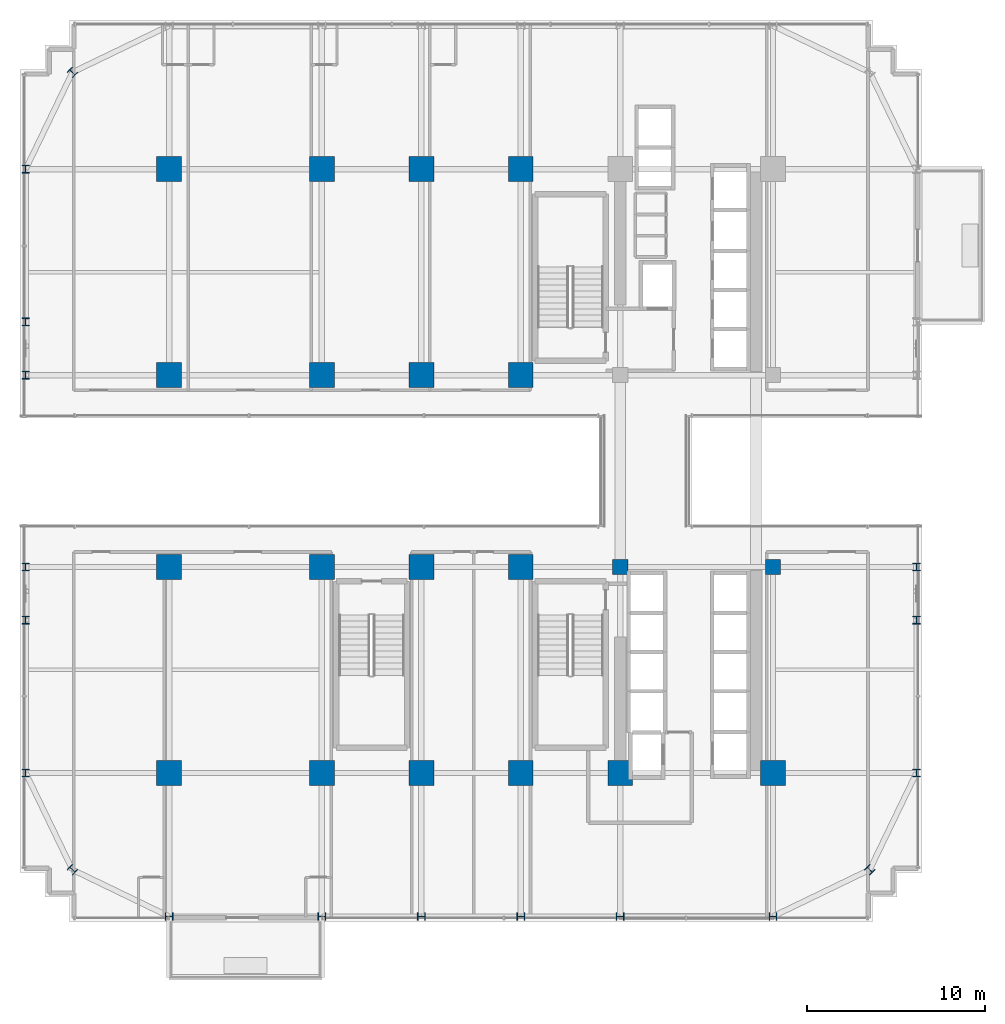
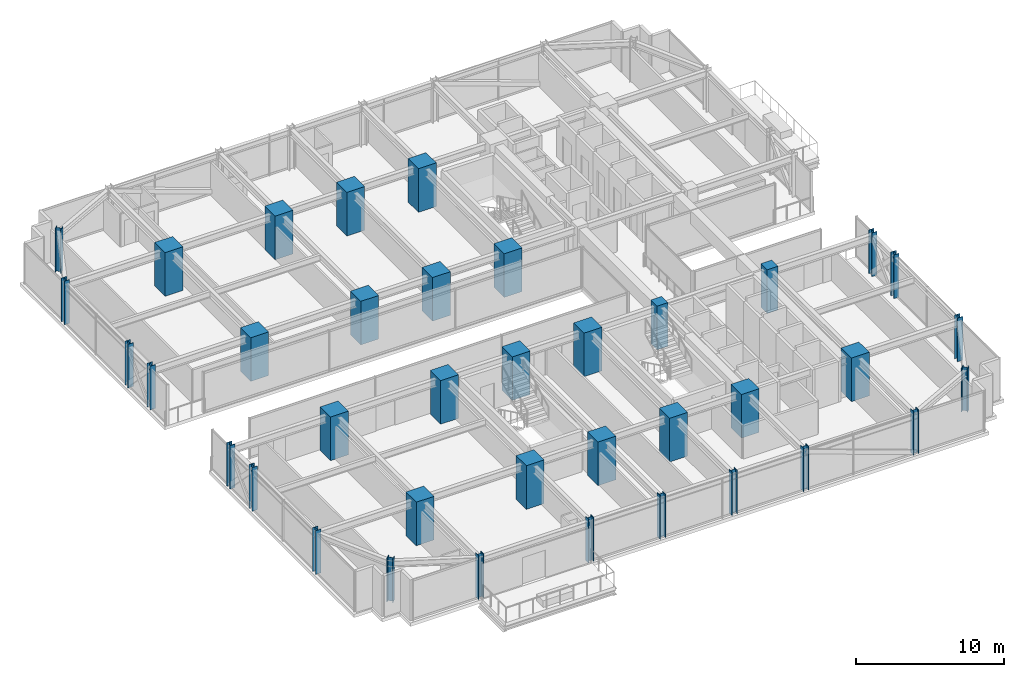
# One storey, part 1 of 35: 38 columns.
"""IFC4 building model written with IfcOpenShell, lengths in metres."""

from ifc_helpers import new_model, si_unit, direction, frame, origin, origin_2d, place, context, subcontext, project, spatial, rectangle, i_section, extrude, source, transform, mapped, material, material_profile, profile_set, type_object, element, save


model = new_model("IFC4")

# Units and contexts
model_context = context("Model", 3, precision=1e-05, world=origin(), true_north=direction((0.0, 1.0)))
body_context = subcontext(model_context, "Body", "Model", "MODEL_VIEW")
ifc_project = project(units=[si_unit("LENGTHUNIT", "METRE"), si_unit("AREAUNIT", "SQUARE_METRE"), si_unit("VOLUMEUNIT", "CUBIC_METRE"), si_unit("PLANEANGLEUNIT", "RADIAN"), si_unit("MASSUNIT", "GRAM", prefix="KILO")], contexts=[model_context])

# Site, building, storey
site_placement = place(None, origin())
site = spatial("IfcSite", under=ifc_project, at=site_placement, CompositionType="ELEMENT")
building_placement = place(site_placement, origin())
building = spatial("IfcBuilding", under=site, at=building_placement, Name="Nahalor Promenade Grand Hotel", CompositionType="ELEMENT")
storey_placement = place(building_placement, frame((0.0, 0.0, 43.35009765625)))
storey = spatial("IfcBuildingStorey", under=building, at=storey_placement, Name="L09", CompositionType="ELEMENT", Elevation=43.35009765625)

# Columns
ifc_material_1 = material(Name="Concrete B-70 (C60/75)", Category="concrete")
ifc_material_profile_1 = material_profile(ifc_material_1, rectangle(XDim=1.4, YDim=1.4, at=origin_2d()), Name="RC 1400x1400")
ifc_profile_set_1 = profile_set([ifc_material_profile_1], Name="Concrete B-70 (C60/75)")
column_type_1 = type_object("IfcColumnType", Name="Col-RC-1400", PredefinedType="COLUMN", material=ifc_profile_set_1)
shared_shape_1 = source(origin(), body_context, "Body", "SweptSolid", [
    extrude(rectangle(XDim=1.4, YDim=1.4, at=origin_2d()), origin(), (0.0, 0.0, 1.0), 3.60498046875),
])
for number, where, z_axis, x_axis, name in (
    (1, (-17.0, -17.0, 0.0), (0.0, 0.0, 1.0), (1.0, 0.0, 0.0), "COL-L09-I00"),
    (2, (-17.0, -5.39990234375, 0.0), (0.0, 0.0, 1.0), (1.0, 0.0, 0.0), "COL-L09-I01"),
    (3, (-17.0, 5.39990234375, 0.0), (0.0, 0.0, 1.0), (1.0, 0.0, 0.0), "COL-L09-I02"),
    (4, (-17.0, 17.0, 0.0), (0.0, 0.0, 1.0), (1.0, 0.0, 0.0), "COL-L09-I03"),
    (5, (-8.39990234375, -17.0, 0.0), (0.0, 0.0, 1.0), (1.0, 0.0, 0.0), "COL-L09-I10"),
    (6, (-8.39990234375, -5.39990234375, 0.0), (0.0, 0.0, 1.0), (1.0, 0.0, 0.0), "COL-L09-I11"),
    (7, (-8.39990234375, 5.39990234375, 0.0), (0.0, 0.0, 1.0), (1.0, 0.0, 0.0), "COL-L09-I12"),
    (8, (-8.39990234375, 17.0, 0.0), (0.0, 0.0, 1.0), (1.0, 0.0, 0.0), "COL-L09-I13"),
    (9, (-2.800048828125, -17.0, 0.0), (0.0, 0.0, 1.0), (1.0, 0.0, 0.0), "COL-L09-I20"),
    (10, (-2.800048828125, -5.39990234375, 0.0), (0.0, 0.0, 1.0), (1.0, 0.0, 0.0), "COL-L09-I21"),
    (11, (-2.800048828125, 5.39990234375, 0.0), (0.0, 0.0, 1.0), (1.0, 0.0, 0.0), "COL-L09-I22"),
    (12, (-2.800048828125, 17.0, 0.0), (0.0, 0.0, 1.0), (1.0, 0.0, 0.0), "COL-L09-I23"),
    (13, (2.800048828125, -17.0, 0.0), (0.0, 0.0, 1.0), (1.0, 0.0, 0.0), "COL-L09-I30"),
    (14, (2.800048828125, -5.39990234375, 0.0), (0.0, 0.0, 1.0), (1.0, 0.0, 0.0), "COL-L09-I31"),
    (15, (2.800048828125, 5.39990234375, 0.0), (0.0, 0.0, 1.0), (1.0, 0.0, 0.0), "COL-L09-I32"),
    (16, (2.800048828125, 17.0, 0.0), (0.0, 0.0, 1.0), (1.0, 0.0, 0.0), "COL-L09-I33"),
    (17, (8.39990234375, -17.0, 0.0), (0.0, 0.0, 1.0), (1.0, 0.0, 0.0), "COL-L09-I40"),
    (18, (17.0, -17.0, 0.0), (0.0, 0.0, 1.0), (1.0, 0.0, 0.0), "COL-L09-I50"),
):
    element("IfcColumn", number, at=place(storey_placement, frame(where, z_axis=z_axis, x_axis=x_axis)), inside=storey, type_object=column_type_1, Name=name, PredefinedType="COLUMN", context=body_context, shape_type="MappedRepresentation", body=[
        mapped(shared_shape_1, transform((0.0, 0.0, 0.0), scale=1.0)),
    ])
ifc_material_profile_2 = material_profile(ifc_material_1, rectangle(XDim=0.85, YDim=0.85, at=origin_2d()), Name="RC 850x850")
ifc_profile_set_2 = profile_set([ifc_material_profile_2], Name="Concrete B-70 (C60/75)")
column_type_2 = type_object("IfcColumnType", Name="Col-Pilaster-850", PredefinedType="PILASTER", material=ifc_profile_set_2)
shared_shape_2 = source(origin(), body_context, "Body", "SweptSolid", [
    extrude(rectangle(XDim=0.85, YDim=0.85, at=origin_2d()), origin(), (0.0, 0.0, 1.0), 3.60498046875),
])
for number, where, z_axis, x_axis, name in (
    (19, (8.39990234375, -5.39990234375, 0.0), (0.0, 0.0, 1.0), (1.0, 0.0, 0.0), "COL-L09-I41"),
    (20, (17.0, -5.39990234375, 0.0), (0.0, 0.0, 1.0), (1.0, 0.0, 0.0), "COL-L09-I51"),
):
    element("IfcColumn", number, at=place(storey_placement, frame(where, z_axis=z_axis, x_axis=x_axis)), inside=storey, type_object=column_type_2, Name=name, PredefinedType="PILASTER", context=body_context, shape_type="MappedRepresentation", body=[
        mapped(shared_shape_2, transform((0.0, 0.0, 0.0), scale=1.0)),
    ])
ifc_material_2 = material(Name="Steel S355J2", Category="steel")
ifc_material_profile_3 = material_profile(ifc_material_2, i_section(OverallWidth=0.412, OverallDepth=0.438, WebThickness=0.0226, FlangeThickness=0.0365, at=origin_2d()), Name="HD 400x463")
ifc_profile_set_3 = profile_set([ifc_material_profile_3], Name="Steel S355J2")
column_type_3 = type_object("IfcColumnType", Name="Col-Steel-HD463", PredefinedType="COLUMN", material=ifc_profile_set_3)
shared_shape_3 = source(origin(), body_context, "Body", "SweptSolid", [
    extrude(i_section(OverallWidth=0.412, OverallDepth=0.438, WebThickness=0.0226, FlangeThickness=0.0365, at=origin_2d()), origin(), (0.0, 0.0, 1.0), 3.60498046875),
])
for number, where, z_axis, x_axis, name in (
    (21, (-25.080078125, -17.0, 0.0), (0.0, 0.0, 1.0), (1.0, 0.0, 0.0), "COL-L09-PW-W0"),
    (22, (25.080078125, -17.0, 0.0), (0.0, 0.0, 1.0), (1.0, 0.0, 0.0), "COL-L09-PW-E0"),
    (23, (-25.080078125, -8.39990234375, 0.0), (0.0, 0.0, 1.0), (1.0, 0.0, 0.0), "COL-L09-PW-W1"),
    (24, (25.080078125, -8.39990234375, 0.0), (0.0, 0.0, 1.0), (1.0, 0.0, 0.0), "COL-L09-PW-E1"),
    (25, (-25.080078125, -5.39990234375, 0.0), (0.0, 0.0, 1.0), (1.0, 0.0, 0.0), "COL-L09-PW-W2"),
    (26, (25.080078125, -5.39990234375, 0.0), (0.0, 0.0, 1.0), (1.0, 0.0, 0.0), "COL-L09-PW-E2"),
    (27, (-25.080078125, 5.39990234375, 0.0), (0.0, 0.0, 1.0), (1.0, 0.0, 0.0), "COL-L09-PW-W3"),
    (28, (-25.080078125, 8.39990234375, 0.0), (0.0, 0.0, 1.0), (1.0, 0.0, 0.0), "COL-L09-PW-W4"),
    (29, (-25.080078125, 17.0, 0.0), (0.0, 0.0, 1.0), (1.0, 0.0, 0.0), "COL-L09-PW-W5"),
    (30, (-17.0, -25.080078125, 0.0), (0.0, 0.0, 1.0), (0.0, 1.0, 0.0), "COL-L09-PN-S0"),
    (31, (-8.39990234375, -25.080078125, 0.0), (0.0, 0.0, 1.0), (0.0, 1.0, 0.0), "COL-L09-PN-S1"),
    (32, (-2.800048828125, -25.080078125, 0.0), (0.0, 0.0, 1.0), (0.0, 1.0, 0.0), "COL-L09-PN-S2"),
    (33, (2.800048828125, -25.080078125, 0.0), (0.0, 0.0, 1.0), (0.0, 1.0, 0.0), "COL-L09-PN-S3"),
    (34, (8.39990234375, -25.080078125, 0.0), (0.0, 0.0, 1.0), (0.0, 1.0, 0.0), "COL-L09-PN-S4"),
    (35, (17.0, -25.080078125, 0.0), (0.0, 0.0, 1.0), (0.0, 1.0, 0.0), "COL-L09-PN-S5"),
    (36, (-22.449951171875, -22.449951171875, 0.0), (0.0, 0.0, 1.0), (0.707106781187, 0.707106781187, 0.0), "COL-L09-CRN-SW"),
    (37, (-22.449951171875, 22.449951171875, 0.0), (0.0, 0.0, 1.0), (0.707106781187, 0.707106781187, 0.0), "COL-L09-CRN-NW"),
    (38, (22.449951171875, -22.449951171875, 0.0), (0.0, 0.0, 1.0), (0.707106781187, 0.707106781187, 0.0), "COL-L09-CRN-SE"),
):
    element("IfcColumn", number, at=place(storey_placement, frame(where, z_axis=z_axis, x_axis=x_axis)), inside=storey, type_object=column_type_3, Name=name, PredefinedType="COLUMN", context=body_context, shape_type="MappedRepresentation", body=[
        mapped(shared_shape_3, transform((0.0, 0.0, 0.0), scale=1.0)),
    ])

save(model, "model.ifc")
